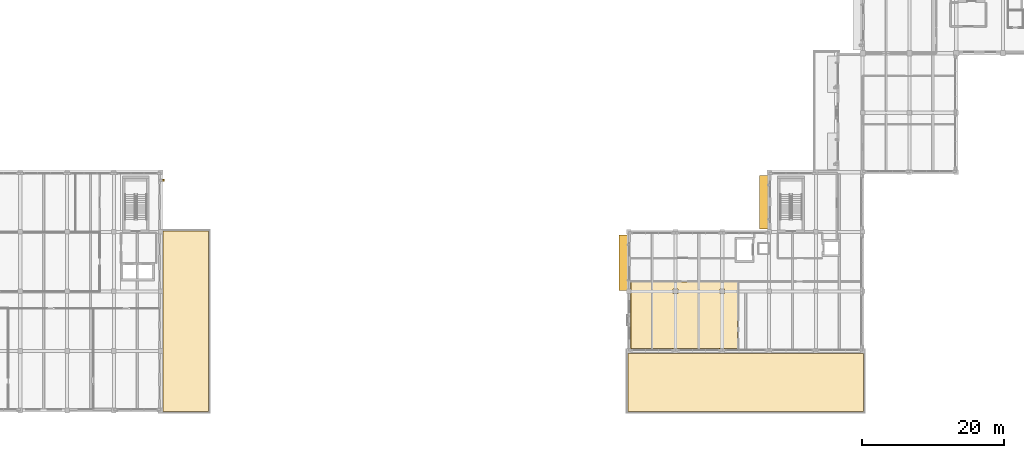
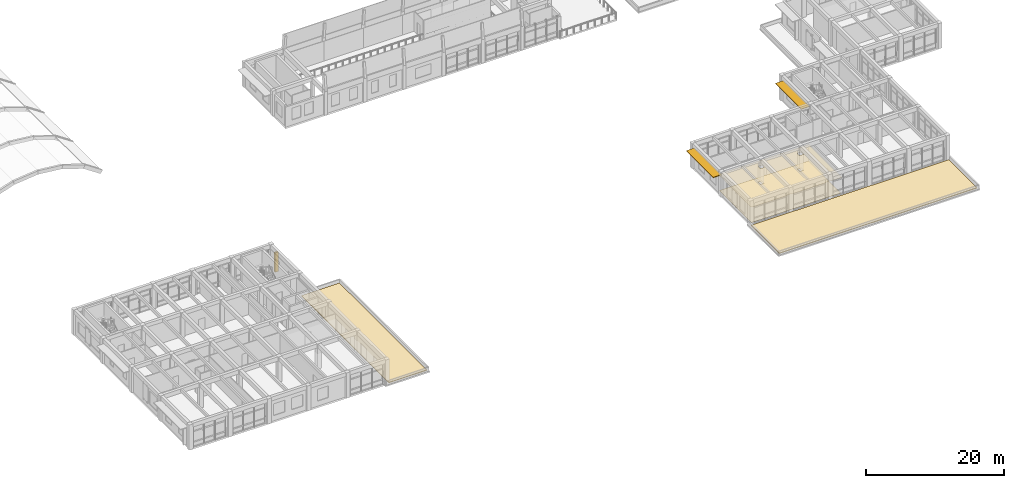
# One storey, part 43 of 50: 4 coverings, 3 shading devices.
"""IFC4 building model written with IfcOpenShell, lengths in metres."""

from ifc_helpers import new_model, si_unit, direction, frame, origin, origin_2d, place, context, subcontext, project, spatial, polyline, rectangle, outline, extrude, material, layer, layer_set, type_object, element, save


model = new_model("IFC4")

# Units and contexts
model_context = context("Model", 3, precision=1e-05, world=origin(), true_north=direction((0.0, 1.0)))
body_context = subcontext(model_context, "Body", "Model", "MODEL_VIEW")
ifc_project = project(units=[si_unit("LENGTHUNIT", "METRE"), si_unit("AREAUNIT", "SQUARE_METRE"), si_unit("VOLUMEUNIT", "CUBIC_METRE"), si_unit("PLANEANGLEUNIT", "RADIAN"), si_unit("MASSUNIT", "GRAM", prefix="KILO")], contexts=[model_context])

# Site, building, storey
site_placement = place(None, origin())
site = spatial("IfcSite", under=ifc_project, at=site_placement, CompositionType="ELEMENT")
building_placement = place(site_placement, origin())
building = spatial("IfcBuilding", under=site, at=building_placement, Name="Kolvaren Faculty of Natural Sciences", CompositionType="ELEMENT")
storey_placement = place(building_placement, frame((0.0, 0.0, 15.0)))
storey = spatial("IfcBuildingStorey", under=building, at=storey_placement, Name="L03", CompositionType="ELEMENT", Elevation=15.0)

# Covering
ifc_material_1 = material(Name="Perforated mineral-fibre acoustic suspended ceiling tile")
ifc_layer_1 = layer(ifc_material_1, 0.02490234375)
ifc_layer_set_1 = layer_set([ifc_layer_1], Name="Perforated mineral-fibre acoustic suspended ceiling tile")
covering_type_1 = type_object("IfcCoveringType", Name="AcousticSuspendedCeiling_25", PredefinedType="CEILING", material=ifc_layer_set_1)
covering_1_placement = place(storey_placement, frame((0.0, 0.0, 2.824951171875)))
element("IfcCovering", 1, at=covering_1_placement, inside=storey, type_object=covering_type_1, Name="L03 L03 Computational Science Studio acoustic ceiling", PredefinedType="CEILING", context=body_context, shape_type="SweptSolid", body=[
    extrude(outline(polyline([(121.280029296875, 17.219970703125), (119.324951171875, 17.219970703125), (119.324951171875, 17.324951171875), (118.675048828125, 17.324951171875), (118.675048828125, 17.219970703125), (112.72509765625, 17.219970703125), (112.72509765625, 17.324951171875), (112.074951171875, 17.324951171875), (112.074951171875, 17.219970703125), (106.125, 17.219970703125), (106.125, 17.324951171875), (106.02001953125, 17.324951171875), (106.02001953125, 25.074951171875), (106.125, 25.074951171875), (106.125, 25.72509765625), (106.02001953125, 25.72509765625), (106.02001953125, 26.8798828125), (121.280029296875, 26.8798828125), (121.280029296875, 17.219970703125)]), holes=[polyline([(118.675048828125, 25.074951171875), (119.324951171875, 25.074951171875), (119.324951171875, 25.72509765625), (118.675048828125, 25.72509765625), (118.675048828125, 25.074951171875)]), polyline([(112.074951171875, 25.72509765625), (112.074951171875, 25.074951171875), (112.72509765625, 25.074951171875), (112.72509765625, 25.72509765625), (112.074951171875, 25.72509765625)])]), origin(), (0.0, 0.0, 1.0), 0.025146484375),
])

# Shading devices
ifc_material_2 = material(Name="Precast concrete C35/45", Category="concrete")
ifc_layer_2 = layer(ifc_material_2, 0.1201171875)
ifc_layer_set_2 = layer_set([ifc_layer_2], Name="Precast concrete C35/45")
shading_device_type_1 = type_object("IfcShadingDeviceType", Name="ChhajjaSolarHood_1350", PredefinedType="AWNING", material=ifc_layer_set_2)
shading_device_1_placement = place(storey_placement, frame((124.945068359375, 38.0, 3.494873046875), z_axis=(0.0, 0.0, 1.0), x_axis=(0.0, 1.0, 0.0)))
element("IfcShadingDevice", 2, at=shading_device_1_placement, inside=storey, type_object=shading_device_type_1, Name="L03 precast sandstone chhajja solar hood 113", PredefinedType="AWNING", context=body_context, shape_type="SweptSolid", body=[
    extrude(rectangle(XDim=7.5400390625, YDim=1.35009765625, at=origin_2d()), origin(), (0.0, 0.0, 1.0), 0.1201171875),
])
shading_device_2_placement = place(storey_placement, frame((105.14501953125, 29.4599609375, 3.544921875), z_axis=(0.0, 0.0, 1.0), x_axis=(0.0, 1.0, 0.0)))
element("IfcShadingDevice", 3, at=shading_device_2_placement, inside=storey, type_object=shading_device_type_1, Name="L03 precast sandstone chhajja solar hood 118", PredefinedType="AWNING", context=body_context, shape_type="SweptSolid", body=[
    extrude(rectangle(XDim=7.820068359375, YDim=1.35009765625, at=origin_2d()), origin(), (0.0, 0.0, 1.0), 0.1201171875),
])
ifc_layer_3 = layer(ifc_material_2, 0.280029296875)
ifc_layer_set_3 = layer_set([ifc_layer_3], Name="Precast concrete C35/45")
shading_device_type_2 = type_object("IfcShadingDeviceType", Name="FacadeReliefFin_280x520", PredefinedType="USERDEFINED", material=ifc_layer_set_3)
shading_device_3_placement = place(storey_placement, frame((40.0400390625, 41.070068359375, 0.119873046875), z_axis=(0.0, 0.0, 1.0), x_axis=(0.0, -1.0, 0.0)))
element("IfcShadingDevice", 4, at=shading_device_3_placement, inside=storey, type_object=shading_device_type_2, Name="L03 projecting sandstone facade relief fin 6", ObjectType="FIN", PredefinedType="USERDEFINED", context=body_context, shape_type="SweptSolid", body=[
    extrude(rectangle(XDim=0.280029296875, YDim=0.52001953125, at=origin_2d()), origin(), (0.0, 0.0, 1.0), 3.455078125),
])

# Coverings
ifc_material_3 = material(Name="SBS polymer-modified bitumen waterproofing membrane over PIR insulation")
ifc_layer_4 = layer(ifc_material_3, 0.139892578125)
ifc_layer_set_4 = layer_set([ifc_layer_4], Name="SBS polymer-modified bitumen waterproofing membrane over PIR insulation")
covering_type_2 = type_object("IfcCoveringType", Name="InsulatedRoofMembrane_140", PredefinedType="ROOFING", material=ifc_layer_set_4)
covering_2_placement = place(storey_placement, origin())
element("IfcCovering", 5, at=covering_2_placement, inside=storey, type_object=covering_type_2, Name="L03 insulated warm-roof waterproofing membrane 1", PredefinedType="ROOFING", context=body_context, shape_type="SweptSolid", body=[
    extrude(outline(polyline([(105.68994140625, 16.678466796875), (105.69580078125, 16.676513671875), (105.69775390625, 16.67578125), (105.712890625, 16.67138671875), (105.714599609375, 16.6708984375), (105.74609375, 16.664306640625), (105.748046875, 16.6640625), (105.781982421875, 16.660400390625), (105.783935546875, 16.660400390625), (105.800048828125, 16.659912109375), (138.800048828125, 16.659912109375), (138.81591796875, 16.660400390625), (138.818115234375, 16.660400390625), (138.851806640625, 16.6640625), (138.853759765625, 16.664306640625), (138.88525390625, 16.6708984375), (138.88720703125, 16.67138671875), (138.902099609375, 16.67578125), (138.904052734375, 16.676513671875), (138.909912109375, 16.678466796875), (138.909912109375, 8.489990234375), (105.68994140625, 8.489990234375), (105.68994140625, 16.678466796875)])), origin(), (0.0, 0.0, 1.0), 0.139892578125),
])
covering_3_placement = place(storey_placement, origin())
element("IfcCovering", 6, at=covering_3_placement, inside=storey, type_object=covering_type_2, Name="L03 insulated warm-roof waterproofing membrane 1", PredefinedType="ROOFING", context=body_context, shape_type="SweptSolid", body=[
    extrude(outline(polyline([(40.12158203125, 8.489990234375), (40.12353515625, 8.495849609375), (40.124267578125, 8.497802734375), (40.128662109375, 8.5126953125), (40.129150390625, 8.5146484375), (40.1357421875, 8.546142578125), (40.135986328125, 8.548095703125), (40.139404296875, 8.58203125), (40.1396484375, 8.583984375), (40.139892578125, 8.60009765625), (40.139892578125, 33.909912109375), (46.510009765625, 33.909912109375), (46.510009765625, 8.489990234375), (40.12158203125, 8.489990234375)])), origin(), (0.0, 0.0, 1.0), 0.139892578125),
])
ifc_material_4 = material(Name="Seamless chemical-resistant laboratory epoxy resin flooring")
ifc_layer_5 = layer(ifc_material_4, 0.02001953125)
ifc_layer_set_5 = layer_set([ifc_layer_5], Name="Seamless chemical-resistant laboratory epoxy resin flooring")
covering_type_3 = type_object("IfcCoveringType", Name="LabEpoxyFloorFinish_20", PredefinedType="FLOORING", material=ifc_layer_set_5)
covering_4_placement = place(storey_placement, origin())
element("IfcCovering", 7, at=covering_4_placement, inside=storey, type_object=covering_type_3, Name="L03 L03 Computational Science Studio floor finish", PredefinedType="FLOORING", context=body_context, shape_type="SweptSolid", body=[
    extrude(outline(polyline([(106.139892578125, 17.340087890625), (106.139892578125, 26.739990234375), (121.139892578125, 26.739990234375), (121.139892578125, 17.340087890625), (106.139892578125, 17.340087890625)]), holes=[polyline([(118.675048828125, 25.074951171875), (119.324951171875, 25.074951171875), (119.324951171875, 25.72509765625), (118.675048828125, 25.72509765625), (118.675048828125, 25.074951171875)]), polyline([(112.074951171875, 25.72509765625), (112.074951171875, 25.074951171875), (112.72509765625, 25.074951171875), (112.72509765625, 25.72509765625), (112.074951171875, 25.72509765625)])]), origin(), (0.0, 0.0, 1.0), 0.02001953125),
])

save(model, "model.ifc")
